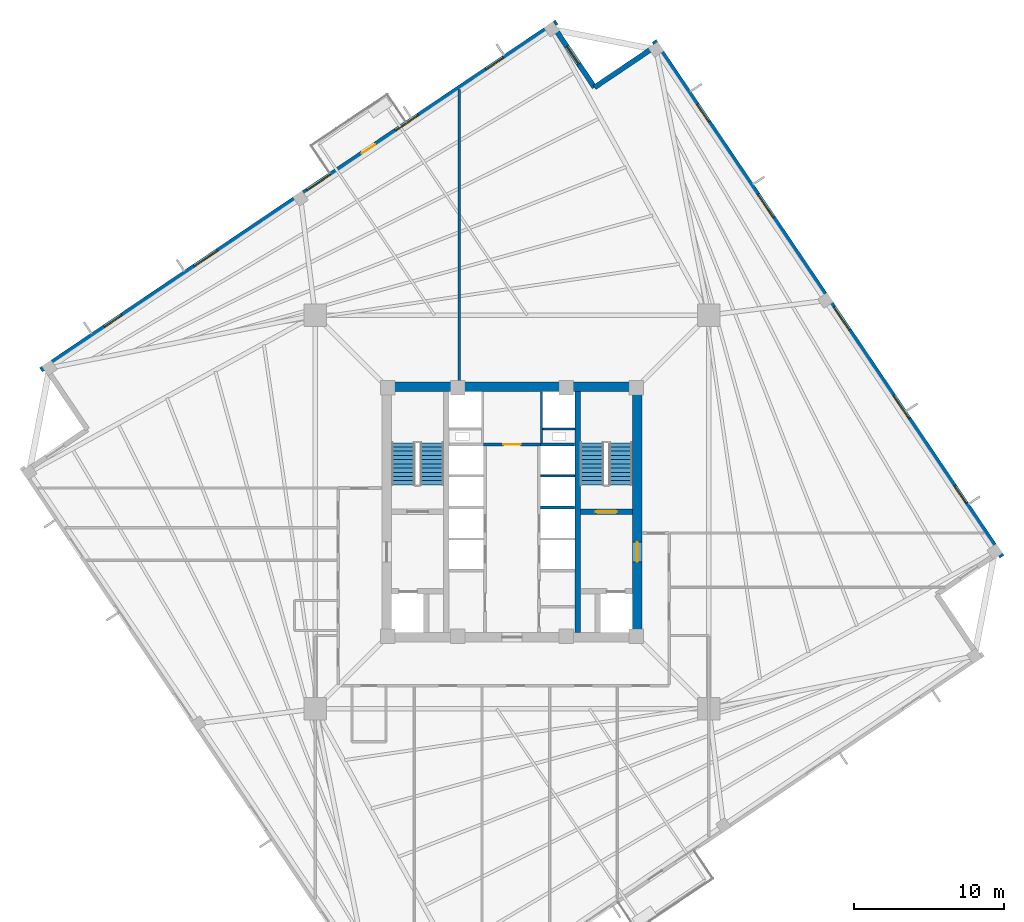
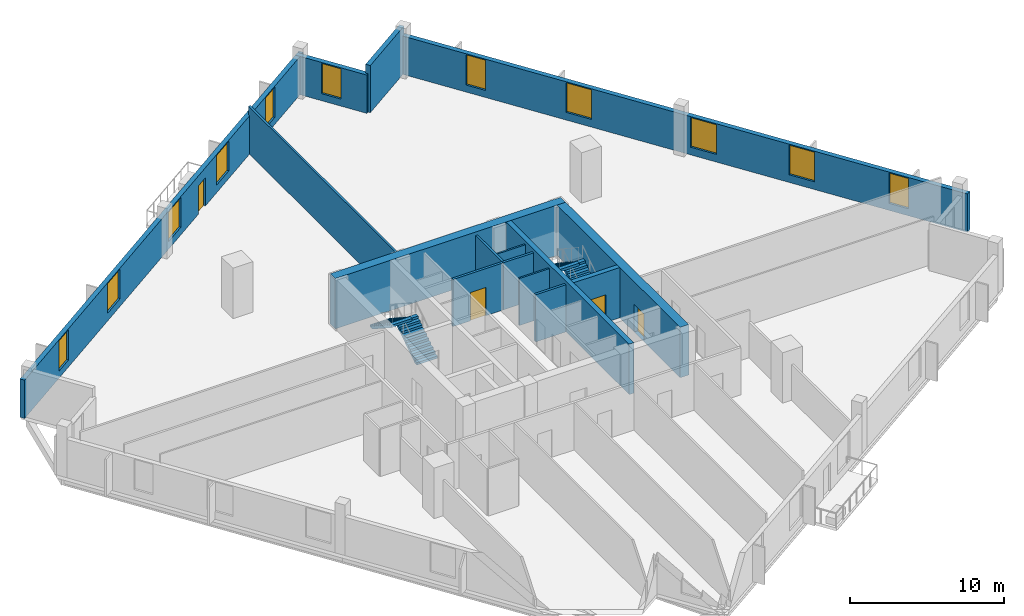
# One storey, part 5 of 9: 15 walls, 11 windows, 4 doors, 4 stair flights, 15 openings, 2 elements without a shape of their own.
"""IFC4 building model written with IfcOpenShell, lengths in metres."""

from ifc_helpers import new_model, si_unit, direction, frame, frame_2d, origin, place, context, subcontext, project, spatial, polyline, rectangle, outline, extrude, source, transform, mapped, material, layer, layer_set, type_object, element, fill, aggregate, save


model = new_model("IFC4")

# Units and contexts
model_context = context("Model", 3, precision=1e-05, world=origin(), true_north=direction((0.0, 1.0)))
body_context = subcontext(model_context, "Body", "Model", "MODEL_VIEW")
ifc_project = project(units=[si_unit("LENGTHUNIT", "METRE"), si_unit("AREAUNIT", "SQUARE_METRE"), si_unit("VOLUMEUNIT", "CUBIC_METRE"), si_unit("PLANEANGLEUNIT", "RADIAN"), si_unit("MASSUNIT", "GRAM", prefix="KILO"), si_unit("THERMODYNAMICTEMPERATUREUNIT", "KELVIN")], contexts=[model_context])

# Site, building, storey
site_placement = place(None, origin())
site = spatial("IfcSite", under=ifc_project, at=site_placement, CompositionType="ELEMENT")
building_placement = place(site_placement, origin())
building = spatial("IfcBuilding", under=site, at=building_placement, Name="Kosmvard Interchange Tower", CompositionType="ELEMENT")
storey_placement = place(building_placement, frame((0.0, 0.0, 164.39990234375)))
storey = spatial("IfcBuildingStorey", under=building, at=storey_placement, Name="L39", CompositionType="ELEMENT", Elevation=164.39990234375)

# Walls
ifc_material_1 = material(Name="Acoustic gypsum partition system")
ifc_layer_1 = layer(ifc_material_1, 0.14990234375, Name="Acoustic gypsum partition system")
ifc_layer_set_1 = layer_set([ifc_layer_1], Name="Acoustic gypsum partition system")
wall_type_1 = type_object("IfcWallType", Name="Acoustic Suite & Meeting Partition 150", PredefinedType="PARTITIONING", material=ifc_layer_set_1)
wall_1_placement = place(storey_placement, frame((-3.5, 8.655029296875, 0.0), z_axis=(0.0, 0.0, 1.0), x_axis=(0.0, 1.0, 0.0)))
element("IfcWall", 1, at=wall_1_placement, inside=storey, type_object=wall_type_1, Name="L39 Room Partition 01.1", PredefinedType="PARTITIONING", context=body_context, shape_type="SweptSolid", body=[
    extrude(rectangle(XDim=19.4111328125, YDim=0.14990234375, at=frame_2d((9.70556640625, 0.0))), origin(), (0.0, 0.0, 1.0), 3.739990234375),
])
ifc_material_2 = material(Name="Fire-rated gypsum partition system")
ifc_layer_2 = layer(ifc_material_2, 0.159912109375, Name="Fire-rated gypsum partition system")
ifc_layer_set_2 = layer_set([ifc_layer_2], Name="Fire-rated gypsum partition system")
wall_type_2 = type_object("IfcWallType", Name="Core Compartment & Shuttle Lobby Partition 160", PredefinedType="PARTITIONING", material=ifc_layer_set_2)
wall_2_placement = place(storey_placement, frame((1.9599609375, 4.580078125, 0.0), z_axis=(0.0, 0.0, 1.0), x_axis=(0.0, 1.0, 0.0)))
element("IfcWall", 2, at=wall_2_placement, inside=storey, type_object=wall_type_2, Name="L39 North Core East Wall", PredefinedType="PARTITIONING", context=body_context, shape_type="SweptSolid", body=[
    extrude(rectangle(XDim=3.39990234375, YDim=0.159912109375, at=frame_2d((1.699951171875, 0.0))), origin(), (0.0, 0.0, 1.0), 3.739990234375),
])

# Wall, opening, door
ifc_layer_3 = layer(ifc_material_2, 0.179931640625, Name="Fire-rated gypsum partition system")
ifc_layer_set_3 = layer_set([ifc_layer_3], Name="Fire-rated gypsum partition system")
wall_type_3 = type_object("IfcWallType", Name="Corridor & Hotel Compartment Partition 180", PredefinedType="PARTITIONING", material=ifc_layer_set_3)
wall_3_placement = place(storey_placement, frame((-1.8798828125, 4.489990234375, 0.0), z_axis=(0.0, 0.0, 1.0), x_axis=(1.0, 0.0, 0.0)))
wall_3 = element("IfcWall", 3, at=wall_3_placement, inside=storey, type_object=wall_type_3, Name="L39 Lift Lobby North Partition", PredefinedType="PARTITIONING", context=body_context, shape_type="SweptSolid", body=[
    extrude(rectangle(XDim=3.759765625, YDim=0.179931640625, at=frame_2d((1.8798828125, 0.0))), origin(), (0.0, 0.0, 1.0), 3.739990234375),
])
opening_1_placement = place(wall_3_placement, frame((1.304931640625, 0.0, 0.0)))
opening_1 = element("IfcOpeningElement", 4, at=opening_1_placement, cuts=wall_3, Name="Opening L39-KD1", PredefinedType="OPENING", context=body_context, shape_type="SweptSolid", body=[
    extrude(rectangle(XDim=1.14990234375, YDim=2.25, at=frame_2d((0.574951171875, 1.125))), frame((0.0, 0.10009765625, 0.0), z_axis=(0.0, -1.0, 0.0), x_axis=(1.0, 0.0, 0.0)), (0.0, 0.0, 1.0), 0.199951171875),
])
ifc_material_3 = material(Name="Painted fire-rated steel leaf", Category="steel")
door_type_1 = type_object("IfcDoorType", Name="Plant & Riser Fire Door 1150x2250 EI60", OperationType="NOTDEFINED", PredefinedType="DOOR", material=ifc_material_3)
shared_shape_1 = source(origin(), body_context, "Body", "SweptSolid", [
    extrude(rectangle(XDim=1.14990234375, YDim=2.25, at=frame_2d((0.574951171875, 1.125))), frame((0.0, 0.02490234375, 0.0), z_axis=(0.0, -1.0, 0.0), x_axis=(1.0, 0.0, 0.0)), (0.0, 0.0, 1.0), 0.050048828125),
])
door_1_placement = place(opening_1_placement, origin())
door_1 = element("IfcDoor", 5, at=door_1_placement, inside=storey, type_object=door_type_1, Name="L39 Core IT Room Door", OperationType="SINGLE_SWING_LEFT", OverallHeight=2.25, OverallWidth=1.14990234375, PredefinedType="DOOR", context=body_context, shape_type="MappedRepresentation", body=[
    mapped(shared_shape_1, transform((0.0, 0.0, 0.0), scale=1.0)),
])
fill(opening_1, door_1)

# Wall
ifc_material_4 = material(Name="Concrete C70/85", Category="concrete")
ifc_layer_4 = layer(ifc_material_4, 0.64990234375, Name="Concrete C70/85")
ifc_layer_set_4 = layer_set([ifc_layer_4], Name="Concrete C70/85")
wall_type_4 = type_object("IfcWallType", Name="Mid Core Shear Wall 650 C70/85", PredefinedType="SHEAR", material=ifc_layer_set_4)
wall_4_placement = place(storey_placement, frame((-8.64990234375, 8.324951171875, 0.0), z_axis=(0.0, 0.0, 1.0), x_axis=(1.0, 0.0, 0.0)))
element("IfcWall", 6, at=wall_4_placement, inside=storey, type_object=wall_type_4, Name="L39 Core Shear Wall CW-N", PredefinedType="SHEAR", context=body_context, shape_type="SweptSolid", body=[
    extrude(rectangle(XDim=17.2998046875, YDim=0.64990234375, at=frame_2d((8.64990234375, 0.0))), origin(), (0.0, 0.0, 1.0), 4.0),
])

# Wall, opening, door
wall_5_placement = place(storey_placement, frame((8.324951171875, -8.0, 0.0), z_axis=(0.0, 0.0, 1.0), x_axis=(0.0, 1.0, 0.0)))
wall_5 = element("IfcWall", 7, at=wall_5_placement, inside=storey, type_object=wall_type_4, Name="L39 Core Shear Wall CW-E", PredefinedType="SHEAR", context=body_context, shape_type="SweptSolid", body=[
    extrude(rectangle(XDim=16.0, YDim=0.64990234375, at=frame_2d((8.0, 0.0))), origin(), (0.0, 0.0, 1.0), 4.0),
])
opening_2_placement = place(wall_5_placement, frame((4.68994140625, 0.0, 0.0)))
opening_2 = element("IfcOpeningElement", 8, at=opening_2_placement, cuts=wall_5, Name="Opening L39-FD2", PredefinedType="OPENING", context=body_context, shape_type="SweptSolid", body=[
    extrude(rectangle(XDim=1.300048828125, YDim=2.199951171875, at=frame_2d((0.64990234375, 1.10009765625))), frame((0.0, 0.3349609375, 0.0), z_axis=(0.0, -1.0, 0.0), x_axis=(1.0, 0.0, 0.0)), (0.0, 0.0, 1.0), 0.669921875),
])
door_type_2 = type_object("IfcDoorType", Name="Firefighting Lobby Door 1300x2200 EI60", OperationType="NOTDEFINED", PredefinedType="DOOR", material=ifc_material_3)
shared_shape_2 = source(origin(), body_context, "Body", "SweptSolid", [
    extrude(rectangle(XDim=1.300048828125, YDim=2.199951171875, at=frame_2d((0.64990234375, 1.10009765625))), frame((0.0, 0.02490234375, 0.0), z_axis=(0.0, -1.0, 0.0), x_axis=(1.0, 0.0, 0.0)), (0.0, 0.0, 1.0), 0.050048828125),
])
door_2_placement = place(opening_2_placement, origin())
door_2 = element("IfcDoor", 9, at=door_2_placement, inside=storey, type_object=door_type_2, Name="L39 Firefighting Lobby East Door", OperationType="SINGLE_SWING_RIGHT", OverallHeight=2.199951171875, OverallWidth=1.300048828125, PredefinedType="DOOR", context=body_context, shape_type="MappedRepresentation", body=[
    mapped(shared_shape_2, transform((0.0, 0.0, 0.0), scale=1.0)),
])
fill(opening_2, door_2)

# Wall, openings, windows
ifc_material_5 = material(Name="Precast concrete C45/55", Category="concrete")
ifc_layer_5 = layer(ifc_material_5, 0.340087890625, Name="Precast concrete C45/55")
ifc_layer_set_5 = layer_set([ifc_layer_5], Name="Precast concrete C45/55")
wall_type_5 = type_object("IfcWallType", Name="Mid Tower Precast Pier Wall 340 C45/55", PredefinedType="STANDARD", material=ifc_layer_set_5)
wall_6_placement = place(storey_placement, frame((32.55810546875, -2.971923828125, 0.0), z_axis=(0.0, 0.0, 1.0), x_axis=(-0.559194910251, 0.829036218961, 0.0)))
wall_6 = element("IfcWall", 10, at=wall_6_placement, inside=storey, type_object=wall_type_5, Name="L39 Precast Facade Wall F-E", PredefinedType="STANDARD", context=body_context, shape_type="SweptSolid", body=[
    extrude(rectangle(XDim=41.340087890625, YDim=0.340087890625, at=frame_2d((20.669921875, 0.0))), origin(), (0.0, 0.0, 1.0), 3.0400390625),
])
opening_3_placement = place(wall_6_placement, frame((4.2607421875, 0.0, 0.56005859375)))
opening_3 = element("IfcOpeningElement", 11, at=opening_3_placement, cuts=wall_6, Name="Opening L39-W06", PredefinedType="OPENING", context=body_context, shape_type="SweptSolid", body=[
    extrude(rectangle(XDim=1.39990234375, YDim=2.39990234375, at=frame_2d((0.699951171875, 1.199951171875))), frame((0.0, 0.18017578125, 0.0), z_axis=(0.0, -1.0, 0.0), x_axis=(1.0, 0.0, 0.0)), (0.0, 0.0, 1.0), 0.360107421875),
])
opening_4_placement = place(wall_6_placement, frame((11.063720703125, 0.0, 0.610107421875)))
opening_4 = element("IfcOpeningElement", 12, at=opening_4_placement, cuts=wall_6, Name="Opening L39-W07", PredefinedType="OPENING", context=body_context, shape_type="SweptSolid", body=[
    extrude(rectangle(XDim=1.85009765625, YDim=2.35009765625, at=frame_2d((0.925048828125, 1.175048828125))), frame((0.0, 0.18017578125, 0.0), z_axis=(0.0, -1.0, 0.0), x_axis=(1.0, 0.0, 0.0)), (0.0, 0.0, 1.0), 0.360107421875),
])
opening_5_placement = place(wall_6_placement, frame((18.168212890625, 0.0, 0.610107421875)))
opening_5 = element("IfcOpeningElement", 13, at=opening_5_placement, cuts=wall_6, Name="Opening L39-W08", PredefinedType="OPENING", context=body_context, shape_type="SweptSolid", body=[
    extrude(rectangle(XDim=1.85009765625, YDim=2.35009765625, at=frame_2d((0.925048828125, 1.175048828125))), frame((0.0, 0.18017578125, 0.0), z_axis=(0.0, -1.0, 0.0), x_axis=(1.0, 0.0, 0.0)), (0.0, 0.0, 1.0), 0.360107421875),
])
opening_6_placement = place(wall_6_placement, frame((27.186279296875, 0.0, 0.610107421875)))
opening_6 = element("IfcOpeningElement", 14, at=opening_6_placement, cuts=wall_6, Name="Opening L39-W09", PredefinedType="OPENING", context=body_context, shape_type="SweptSolid", body=[
    extrude(rectangle(XDim=1.85009765625, YDim=2.35009765625, at=frame_2d((0.925048828125, 1.175048828125))), frame((0.0, 0.18017578125, 0.0), z_axis=(0.0, -1.0, 0.0), x_axis=(1.0, 0.0, 0.0)), (0.0, 0.0, 1.0), 0.360107421875),
])
opening_7_placement = place(wall_6_placement, frame((34.852294921875, 0.0, 0.56005859375)))
opening_7 = element("IfcOpeningElement", 15, at=opening_7_placement, cuts=wall_6, Name="Opening L39-W10", PredefinedType="OPENING", context=body_context, shape_type="SweptSolid", body=[
    extrude(rectangle(XDim=1.39990234375, YDim=2.39990234375, at=frame_2d((0.699951171875, 1.199951171875))), frame((0.0, 0.18017578125, 0.0), z_axis=(0.0, -1.0, 0.0), x_axis=(1.0, 0.0, 0.0)), (0.0, 0.0, 1.0), 0.360107421875),
])
ifc_material_6 = material(Name="Low-E solar-control double glazing", Category="glass")
window_type_1 = type_object("IfcWindowType", Name="Notched Corner Feature Window 1400x2400", PartitioningType="SINGLE_PANEL", PredefinedType="WINDOW", material=ifc_material_6)
shared_shape_3 = source(origin(), body_context, "Body", "SweptSolid", [
    extrude(rectangle(XDim=1.39990234375, YDim=2.39990234375, at=frame_2d((0.699951171875, 1.199951171875))), frame((0.0, 0.030029296875, 0.0), z_axis=(0.0, -1.0, 0.0), x_axis=(1.0, 0.0, 0.0)), (0.0, 0.0, 1.0), 0.06005859375),
])
window_1_placement = place(opening_3_placement, origin())
window_1 = element("IfcWindow", 16, at=window_1_placement, inside=storey, type_object=window_type_1, Name="L39 Facade Punched Window 06", OverallHeight=2.39990234375, OverallWidth=1.39990234375, PartitioningType="SINGLE_PANEL", PredefinedType="WINDOW", context=body_context, shape_type="MappedRepresentation", body=[
    mapped(shared_shape_3, transform((0.0, 0.0, 0.0), scale=1.0)),
])
fill(opening_3, window_1)
window_2_placement = place(opening_7_placement, origin())
window_2 = element("IfcWindow", 17, at=window_2_placement, inside=storey, type_object=window_type_1, Name="L39 Facade Punched Window 10", OverallHeight=2.39990234375, OverallWidth=1.39990234375, PartitioningType="SINGLE_PANEL", PredefinedType="WINDOW", context=body_context, shape_type="MappedRepresentation", body=[
    mapped(shared_shape_3, transform((0.0, 0.0, 0.0), scale=1.0)),
])
fill(opening_7, window_2)
window_type_2 = type_object("IfcWindowType", Name="Zone 3 Office Punched Window 1850x2350", PartitioningType="SINGLE_PANEL", PredefinedType="WINDOW", material=ifc_material_6)
shared_shape_4 = source(origin(), body_context, "Body", "SweptSolid", [
    extrude(rectangle(XDim=1.85009765625, YDim=2.35009765625, at=frame_2d((0.925048828125, 1.175048828125))), frame((0.0, 0.030029296875, 0.0), z_axis=(0.0, -1.0, 0.0), x_axis=(1.0, 0.0, 0.0)), (0.0, 0.0, 1.0), 0.06005859375),
])
window_3_placement = place(opening_4_placement, origin())
window_3 = element("IfcWindow", 18, at=window_3_placement, inside=storey, type_object=window_type_2, Name="L39 Facade Punched Window 07", OverallHeight=2.35009765625, OverallWidth=1.85009765625, PartitioningType="SINGLE_PANEL", PredefinedType="WINDOW", context=body_context, shape_type="MappedRepresentation", body=[
    mapped(shared_shape_4, transform((0.0, 0.0, 0.0), scale=1.0)),
])
fill(opening_4, window_3)
window_4_placement = place(opening_5_placement, origin())
window_4 = element("IfcWindow", 19, at=window_4_placement, inside=storey, type_object=window_type_2, Name="L39 Facade Punched Window 08", OverallHeight=2.35009765625, OverallWidth=1.85009765625, PartitioningType="SINGLE_PANEL", PredefinedType="WINDOW", context=body_context, shape_type="MappedRepresentation", body=[
    mapped(shared_shape_4, transform((0.0, 0.0, 0.0), scale=1.0)),
])
fill(opening_5, window_4)
window_5_placement = place(opening_6_placement, origin())
window_5 = element("IfcWindow", 20, at=window_5_placement, inside=storey, type_object=window_type_2, Name="L39 Facade Punched Window 09", OverallHeight=2.35009765625, OverallWidth=1.85009765625, PartitioningType="SINGLE_PANEL", PredefinedType="WINDOW", context=body_context, shape_type="MappedRepresentation", body=[
    mapped(shared_shape_4, transform((0.0, 0.0, 0.0), scale=1.0)),
])
fill(opening_6, window_5)

# Wall
wall_7_placement = place(storey_placement, frame((9.631103515625, 31.018798828125, 0.0), z_axis=(0.0, 0.0, 1.0), x_axis=(-0.829025804298, -0.559210350234, 0.0)))
element("IfcWall", 21, at=wall_7_placement, inside=storey, type_object=wall_type_5, Name="L39 Precast Facade Wall N-NE1", PredefinedType="STANDARD", context=body_context, shape_type="SweptSolid", body=[
    extrude(rectangle(XDim=5.000244140625, YDim=0.340087890625, at=frame_2d((2.5, 0.0))), origin(), (0.0, 0.0, 1.0), 3.739990234375),
])

# Wall, opening, window
wall_8_placement = place(storey_placement, frame((5.48583984375, 28.22265625, 0.0), z_axis=(0.0, 0.0, 1.0), x_axis=(-0.559171107879, 0.82905227345, 0.0)))
wall_8 = element("IfcWall", 22, at=wall_8_placement, inside=storey, type_object=wall_type_5, Name="L39 Precast Facade Wall N-NE2", PredefinedType="STANDARD", context=body_context, shape_type="SweptSolid", body=[
    extrude(rectangle(XDim=5.169921875, YDim=0.340087890625, at=frame_2d((2.5849609375, 0.0))), origin(), (0.0, 0.0, 1.0), 3.0400390625),
])
opening_8_placement = place(wall_8_placement, frame((1.885009765625, 0.0, 0.56005859375)))
opening_8 = element("IfcOpeningElement", 23, at=opening_8_placement, cuts=wall_8, Name="Opening L39-W22", PredefinedType="OPENING", context=body_context, shape_type="SweptSolid", body=[
    extrude(rectangle(XDim=1.39990234375, YDim=2.39990234375, at=frame_2d((0.699951171875, 1.199951171875))), frame((0.0, 0.18017578125, 0.0), z_axis=(0.0, -1.0, 0.0), x_axis=(1.0, 0.0, 0.0)), (0.0, 0.0, 1.0), 0.360107421875),
])
window_6_placement = place(opening_8_placement, origin())
window_6 = element("IfcWindow", 24, at=window_6_placement, inside=storey, type_object=window_type_1, Name="L39 Corner Notch Window 22", OverallHeight=2.39990234375, OverallWidth=1.39990234375, PartitioningType="SINGLE_PANEL", PredefinedType="WINDOW", context=body_context, shape_type="MappedRepresentation", body=[
    mapped(shared_shape_3, transform((0.0, 0.0, 0.0), scale=1.0)),
])
fill(opening_8, window_6)

# Wall, openings, door, windows
wall_9_placement = place(storey_placement, frame((2.971923828125, 32.55810546875, 0.0), z_axis=(0.0, 0.0, 1.0), x_axis=(-0.829036218961, -0.559194910251, 0.0)))
wall_9 = element("IfcWall", 25, at=wall_9_placement, inside=storey, type_object=wall_type_5, Name="L39 Precast Facade Wall F-N", PredefinedType="STANDARD", context=body_context, shape_type="SweptSolid", body=[
    extrude(rectangle(XDim=41.340087890625, YDim=0.340087890625, at=frame_2d((20.669921875, 0.0))), origin(), (0.0, 0.0, 1.0), 3.0400390625),
])
opening_9_placement = place(wall_9_placement, frame((14.544921875, 0.0, 0.0)))
opening_9 = element("IfcOpeningElement", 26, at=opening_9_placement, cuts=wall_9, Name="Opening L39-BDN", PredefinedType="OPENING", context=body_context, shape_type="SweptSolid", body=[
    extrude(rectangle(XDim=1.050048828125, YDim=2.25, at=frame_2d((0.52490234375, 1.125))), frame((0.0, 0.18017578125, 0.0), z_axis=(0.0, -1.0, 0.0), x_axis=(1.0, 0.0, 0.0)), (0.0, 0.0, 1.0), 0.360107421875),
])
opening_10_placement = place(wall_9_placement, frame((4.2607421875, 0.0, 0.56005859375)))
opening_10 = element("IfcOpeningElement", 27, at=opening_10_placement, cuts=wall_9, Name="Opening L39-W11", PredefinedType="OPENING", context=body_context, shape_type="SweptSolid", body=[
    extrude(rectangle(XDim=1.39990234375, YDim=2.39990234375, at=frame_2d((0.699951171875, 1.199951171875))), frame((0.0, 0.18017578125, 0.0), z_axis=(0.0, -1.0, 0.0), x_axis=(1.0, 0.0, 0.0)), (0.0, 0.0, 1.0), 0.360107421875),
])
opening_11_placement = place(wall_9_placement, frame((11.063720703125, 0.0, 0.610107421875)))
opening_11 = element("IfcOpeningElement", 28, at=opening_11_placement, cuts=wall_9, Name="Opening L39-W12", PredefinedType="OPENING", context=body_context, shape_type="SweptSolid", body=[
    extrude(rectangle(XDim=1.85009765625, YDim=2.35009765625, at=frame_2d((0.925048828125, 1.175048828125))), frame((0.0, 0.18017578125, 0.0), z_axis=(0.0, -1.0, 0.0), x_axis=(1.0, 0.0, 0.0)), (0.0, 0.0, 1.0), 0.360107421875),
])
opening_12_placement = place(wall_9_placement, frame((18.168212890625, 0.0, 0.610107421875)))
opening_12 = element("IfcOpeningElement", 29, at=opening_12_placement, cuts=wall_9, Name="Opening L39-W13", PredefinedType="OPENING", context=body_context, shape_type="SweptSolid", body=[
    extrude(rectangle(XDim=1.85009765625, YDim=2.35009765625, at=frame_2d((0.925048828125, 1.175048828125))), frame((0.0, 0.18017578125, 0.0), z_axis=(0.0, -1.0, 0.0), x_axis=(1.0, 0.0, 0.0)), (0.0, 0.0, 1.0), 0.360107421875),
])
opening_13_placement = place(wall_9_placement, frame((27.186279296875, 0.0, 0.610107421875)))
opening_13 = element("IfcOpeningElement", 30, at=opening_13_placement, cuts=wall_9, Name="Opening L39-W14", PredefinedType="OPENING", context=body_context, shape_type="SweptSolid", body=[
    extrude(rectangle(XDim=1.85009765625, YDim=2.35009765625, at=frame_2d((0.925048828125, 1.175048828125))), frame((0.0, 0.18017578125, 0.0), z_axis=(0.0, -1.0, 0.0), x_axis=(1.0, 0.0, 0.0)), (0.0, 0.0, 1.0), 0.360107421875),
])
opening_14_placement = place(wall_9_placement, frame((34.852294921875, 0.0, 0.56005859375)))
opening_14 = element("IfcOpeningElement", 31, at=opening_14_placement, cuts=wall_9, Name="Opening L39-W15", PredefinedType="OPENING", context=body_context, shape_type="SweptSolid", body=[
    extrude(rectangle(XDim=1.39990234375, YDim=2.39990234375, at=frame_2d((0.699951171875, 1.199951171875))), frame((0.0, 0.18017578125, 0.0), z_axis=(0.0, -1.0, 0.0), x_axis=(1.0, 0.0, 0.0)), (0.0, 0.0, 1.0), 0.360107421875),
])
ifc_material_7 = material(Name="Anodised aluminium and safety glass", Category="aluminium")
door_type_3 = type_object("IfcDoorType", Name="Tree-Balcony Glazed Door 1050x2250", OperationType="NOTDEFINED", PredefinedType="DOOR", material=ifc_material_7)
shared_shape_5 = source(origin(), body_context, "Body", "SweptSolid", [
    extrude(rectangle(XDim=1.050048828125, YDim=2.25, at=frame_2d((0.52490234375, 1.125))), frame((0.0, 0.02490234375, 0.0), z_axis=(0.0, -1.0, 0.0), x_axis=(1.0, 0.0, 0.0)), (0.0, 0.0, 1.0), 0.050048828125),
])
door_3_placement = place(opening_9_placement, origin())
door_3 = element("IfcDoor", 32, at=door_3_placement, inside=storey, type_object=door_type_3, Name="L39 Tree-Balcony Door BAL-L39-N", OperationType="SINGLE_SWING_RIGHT", OverallHeight=2.25, OverallWidth=1.050048828125, PredefinedType="DOOR", context=body_context, shape_type="MappedRepresentation", body=[
    mapped(shared_shape_5, transform((0.0, 0.0, 0.0), scale=1.0)),
])
fill(opening_9, door_3)
window_7_placement = place(opening_10_placement, origin())
window_7 = element("IfcWindow", 33, at=window_7_placement, inside=storey, type_object=window_type_1, Name="L39 Facade Punched Window 11", OverallHeight=2.39990234375, OverallWidth=1.39990234375, PartitioningType="SINGLE_PANEL", PredefinedType="WINDOW", context=body_context, shape_type="MappedRepresentation", body=[
    mapped(shared_shape_3, transform((0.0, 0.0, 0.0), scale=1.0)),
])
fill(opening_10, window_7)
window_8_placement = place(opening_14_placement, origin())
window_8 = element("IfcWindow", 34, at=window_8_placement, inside=storey, type_object=window_type_1, Name="L39 Facade Punched Window 15", OverallHeight=2.39990234375, OverallWidth=1.39990234375, PartitioningType="SINGLE_PANEL", PredefinedType="WINDOW", context=body_context, shape_type="MappedRepresentation", body=[
    mapped(shared_shape_3, transform((0.0, 0.0, 0.0), scale=1.0)),
])
fill(opening_14, window_8)
window_9_placement = place(opening_11_placement, origin())
window_9 = element("IfcWindow", 35, at=window_9_placement, inside=storey, type_object=window_type_2, Name="L39 Facade Punched Window 12", OverallHeight=2.35009765625, OverallWidth=1.85009765625, PartitioningType="SINGLE_PANEL", PredefinedType="WINDOW", context=body_context, shape_type="MappedRepresentation", body=[
    mapped(shared_shape_4, transform((0.0, 0.0, 0.0), scale=1.0)),
])
fill(opening_11, window_9)
window_10_placement = place(opening_12_placement, origin())
window_10 = element("IfcWindow", 36, at=window_10_placement, inside=storey, type_object=window_type_2, Name="L39 Facade Punched Window 13", OverallHeight=2.35009765625, OverallWidth=1.85009765625, PartitioningType="SINGLE_PANEL", PredefinedType="WINDOW", context=body_context, shape_type="MappedRepresentation", body=[
    mapped(shared_shape_4, transform((0.0, 0.0, 0.0), scale=1.0)),
])
fill(opening_12, window_10)
window_11_placement = place(opening_13_placement, origin())
window_11 = element("IfcWindow", 37, at=window_11_placement, inside=storey, type_object=window_type_2, Name="L39 Facade Punched Window 14", OverallHeight=2.35009765625, OverallWidth=1.85009765625, PartitioningType="SINGLE_PANEL", PredefinedType="WINDOW", context=body_context, shape_type="MappedRepresentation", body=[
    mapped(shared_shape_4, transform((0.0, 0.0, 0.0), scale=1.0)),
])
fill(opening_13, window_11)

# Walls
ifc_material_8 = material(Name="Concrete blockwork masonry", Category="masonry")
ifc_layer_6 = layer(ifc_material_8, 0.179931640625, Name="Concrete blockwork masonry")
ifc_layer_set_6 = layer_set([ifc_layer_6], Name="Concrete blockwork masonry")
wall_type_6 = type_object("IfcWallType", Name="Riser & Lift Bank Divider Wall 180", PredefinedType="PARTITIONING", material=ifc_layer_set_6)
for number, where, z_axis, x_axis, name in (
    (38, (1.889892578125, 0.300048828125, 0.0), (0.0, 0.0, 1.0), (1.0, 0.0, 0.0), "L39 East Bank Divider BD2"),
    (39, (1.889892578125, 4.489990234375, 0.0), (0.0, 0.0, 1.0), (1.0, 0.0, 0.0), "L39 East Bank Divider BD3"),
):
    element("IfcWall", number, at=place(storey_placement, frame(where, z_axis=z_axis, x_axis=x_axis)), inside=storey, type_object=wall_type_6, Name=name, PredefinedType="PARTITIONING", context=body_context, shape_type="SweptSolid", body=[
        extrude(rectangle(XDim=2.280029296875, YDim=0.179931640625, at=frame_2d((1.14013671875, 0.0))), origin(), (0.0, 0.0, 1.0), 3.739990234375),
    ])
ifc_material_9 = material(Name="Fire-rated gypsum shaftwall system")
ifc_layer_7 = layer(ifc_material_9, 0.1201171875, Name="Fire-rated gypsum shaftwall system")
ifc_layer_set_7 = layer_set([ifc_layer_7], Name="Fire-rated gypsum shaftwall system")
wall_type_7 = type_object("IfcWallType", Name="Shaft & Riser Fire Partition 120 EI60", PredefinedType="PARTITIONING", material=ifc_layer_set_7)
wall_10_placement = place(storey_placement, frame((1.89990234375, 2.39990234375, 0.0), z_axis=(0.0, 0.0, 1.0), x_axis=(1.0, 0.0, 0.0)))
element("IfcWall", 40, at=wall_10_placement, inside=storey, type_object=wall_type_7, Name="L39 Shaft Divider PL-H3", PredefinedType="PARTITIONING", context=body_context, shape_type="SweptSolid", body=[
    extrude(rectangle(XDim=2.260009765625, YDim=0.1201171875, at=frame_2d((1.1298828125, 0.0))), origin(), (0.0, 0.0, 1.0), 3.739990234375),
])
wall_11_placement = place(storey_placement, frame((2.06005859375, 5.52001953125, 0.0), z_axis=(0.0, 0.0, 1.0), x_axis=(1.0, 0.0, 0.0)))
element("IfcWall", 41, at=wall_11_placement, inside=storey, type_object=wall_type_7, Name="L39 Riser Shaft Divider E", PredefinedType="PARTITIONING", context=body_context, shape_type="SweptSolid", body=[
    extrude(rectangle(XDim=2.099853515625, YDim=0.1201171875, at=frame_2d((1.0498046875, 0.0))), origin(), (0.0, 0.0, 1.0), 3.739990234375),
])
ifc_material_10 = material(Name="Concrete C60/75", Category="concrete")
ifc_layer_8 = layer(ifc_material_10, 0.360107421875, Name="Concrete C60/75")
ifc_layer_set_8 = layer_set([ifc_layer_8], Name="Concrete C60/75")
wall_type_8 = type_object("IfcWallType", Name="Stair & Lift Shaft Shear Wall 360 C60/75", PredefinedType="SHEAR", material=ifc_layer_set_8)
wall_12_placement = place(storey_placement, frame((4.360107421875, -8.0, 0.0), z_axis=(0.0, 0.0, 1.0), x_axis=(0.0, 1.0, 0.0)))
element("IfcWall", 42, at=wall_12_placement, inside=storey, type_object=wall_type_8, Name="L39 Shaft Shear Wall SW-E", PredefinedType="SHEAR", context=body_context, shape_type="SweptSolid", body=[
    extrude(rectangle(XDim=16.0, YDim=0.360107421875, at=frame_2d((8.0, 0.0))), origin(), (0.0, 0.0, 1.0), 4.0),
])

# Wall, opening, door
wall_13_placement = place(storey_placement, frame((4.5400390625, 0.02001953125, 0.0), z_axis=(0.0, 0.0, 1.0), x_axis=(1.0, 0.0, 0.0)))
wall_13 = element("IfcWall", 43, at=wall_13_placement, inside=storey, type_object=wall_type_8, Name="L39 Shaft Shear Wall SW-ST2", PredefinedType="SHEAR", context=body_context, shape_type="SweptSolid", body=[
    extrude(rectangle(XDim=3.4599609375, YDim=0.360107421875, at=frame_2d((1.72998046875, 0.0))), origin(), (0.0, 0.0, 1.0), 4.0),
])
opening_15_placement = place(wall_13_placement, frame((1.030029296875, 0.0, 0.0)))
opening_15 = element("IfcOpeningElement", 44, at=opening_15_placement, cuts=wall_13, Name="Opening L39-SD2", PredefinedType="OPENING", context=body_context, shape_type="SweptSolid", body=[
    extrude(rectangle(XDim=1.39990234375, YDim=2.199951171875, at=frame_2d((0.699951171875, 1.10009765625))), frame((0.0, 0.18994140625, 0.0), z_axis=(0.0, -1.0, 0.0), x_axis=(1.0, 0.0, 0.0)), (0.0, 0.0, 1.0), 0.380126953125),
])
door_type_4 = type_object("IfcDoorType", Name="Protected Stair Door 1400x2200 FD60S", OperationType="NOTDEFINED", PredefinedType="DOOR", material=ifc_material_3)
shared_shape_6 = source(origin(), body_context, "Body", "SweptSolid", [
    extrude(rectangle(XDim=1.39990234375, YDim=2.199951171875, at=frame_2d((0.699951171875, 1.10009765625))), frame((0.0, 0.02490234375, 0.0), z_axis=(0.0, -1.0, 0.0), x_axis=(1.0, 0.0, 0.0)), (0.0, 0.0, 1.0), 0.050048828125),
])
door_4_placement = place(opening_15_placement, origin())
door_4 = element("IfcDoor", 45, at=door_4_placement, inside=storey, type_object=door_type_4, Name="L39 Stair ST-2 Enclosure Door", OperationType="SINGLE_SWING_RIGHT", OverallHeight=2.199951171875, OverallWidth=1.39990234375, PredefinedType="DOOR", context=body_context, shape_type="MappedRepresentation", body=[
    mapped(shared_shape_6, transform((0.0, 0.0, 0.0), scale=1.0)),
])
fill(opening_15, door_4)

# Stair, stair flights
ifc_material_11 = material(Name="Concrete C50/60", Category="concrete")
stair_type = type_object("IfcStairType", Name="Dog-Leg Core Exit Stair H4000 C50/60", PredefinedType="HALF_TURN_STAIR", material=ifc_material_11)
stair_1_placement = place(storey_placement, origin())
stair_1 = element("IfcStair", 46, at=stair_1_placement, inside=storey, type_object=stair_type, Name="L39 Protected Exit Stair ST-1", PredefinedType="HALF_TURN_STAIR")
stair_flight_type = type_object("IfcStairFlightType", Name="Core Stair Flight W1550 H4000 C50/60", PredefinedType="STRAIGHT", material=ifc_material_11)
shared_shape_7 = source(origin(), body_context, "Body", "SweptSolid", [
    extrude(outline(polyline([(0.0, 0.0), (0.0, 0.181884765625), (0.280029296875, 0.181884765625), (0.280029296875, 0.363525390625), (0.56005859375, 0.363525390625), (0.56005859375, 0.54541015625), (0.840087890625, 0.54541015625), (0.840087890625, 0.727294921875), (1.1201171875, 0.727294921875), (1.1201171875, 0.9091796875), (1.39990234375, 0.9091796875), (1.39990234375, 1.0908203125), (1.679931640625, 1.0908203125), (1.679931640625, 1.272705078125), (1.9599609375, 1.272705078125), (1.9599609375, 1.45458984375), (2.239990234375, 1.45458984375), (2.239990234375, 1.636474609375), (2.52001953125, 1.636474609375), (2.52001953125, 1.818115234375), (2.800048828125, 1.818115234375), (2.800048828125, 2.0), (2.800048828125, 1.62744140625), (0.293701171875, 0.0), (0.0, 0.0)])), frame((0.0, 0.77490234375, 0.0), z_axis=(0.0, -1.0, 0.0), x_axis=(1.0, 0.0, 0.0)), (0.0, 0.0, 1.0), 1.550048828125),
])
stair_flight_1_placement = place(storey_placement, frame((-5.31494140625, 1.800048828125, 0.0), z_axis=(0.0, 0.0, 1.0), x_axis=(0.0, 1.0, 0.0)))
stair_flight_1 = element("IfcStairFlight", 47, at=stair_flight_1_placement, type_object=stair_flight_type, Name="ST-1 flight 1", NumberOfRisers=11, NumberOfTreads=10, PredefinedType="STRAIGHT", RiserHeight=0.181818182, TreadLength=0.28, context=body_context, shape_type="MappedRepresentation", body=[
    mapped(shared_shape_7, transform((0.0, 0.0, 0.0), scale=1.0)),
])
stair_flight_2_placement = place(storey_placement, frame((-7.22509765625, 4.60009765625, 2.0), z_axis=(0.0, 0.0, 1.0), x_axis=(0.0, -1.0, 0.0)))
stair_flight_2 = element("IfcStairFlight", 48, at=stair_flight_2_placement, type_object=stair_flight_type, Name="ST-1 flight 2", NumberOfRisers=11, NumberOfTreads=10, PredefinedType="STRAIGHT", RiserHeight=0.181818182, TreadLength=0.28, context=body_context, shape_type="MappedRepresentation", body=[
    mapped(shared_shape_7, transform((0.0, 0.0, 0.0), scale=1.0)),
])
aggregate(stair_1, [stair_flight_1, stair_flight_2])

stair_2_placement = place(storey_placement, origin())
stair_2 = element("IfcStair", 49, at=stair_2_placement, inside=storey, type_object=stair_type, Name="L39 Protected Exit Stair ST-2", PredefinedType="HALF_TURN_STAIR")
stair_flight_3_placement = place(storey_placement, frame((7.22509765625, 1.800048828125, 0.0), z_axis=(0.0, 0.0, 1.0), x_axis=(0.0, 1.0, 0.0)))
stair_flight_3 = element("IfcStairFlight", 50, at=stair_flight_3_placement, type_object=stair_flight_type, Name="ST-2 flight 1", NumberOfRisers=11, NumberOfTreads=10, PredefinedType="STRAIGHT", RiserHeight=0.181818182, TreadLength=0.28, context=body_context, shape_type="MappedRepresentation", body=[
    mapped(shared_shape_7, transform((0.0, 0.0, 0.0), scale=1.0)),
])
stair_flight_4_placement = place(storey_placement, frame((5.31494140625, 4.60009765625, 2.0), z_axis=(0.0, 0.0, 1.0), x_axis=(0.0, -1.0, 0.0)))
stair_flight_4 = element("IfcStairFlight", 51, at=stair_flight_4_placement, type_object=stair_flight_type, Name="ST-2 flight 2", NumberOfRisers=11, NumberOfTreads=10, PredefinedType="STRAIGHT", RiserHeight=0.181818182, TreadLength=0.28, context=body_context, shape_type="MappedRepresentation", body=[
    mapped(shared_shape_7, transform((0.0, 0.0, 0.0), scale=1.0)),
])
aggregate(stair_2, [stair_flight_3, stair_flight_4])

save(model, "model.ifc")
